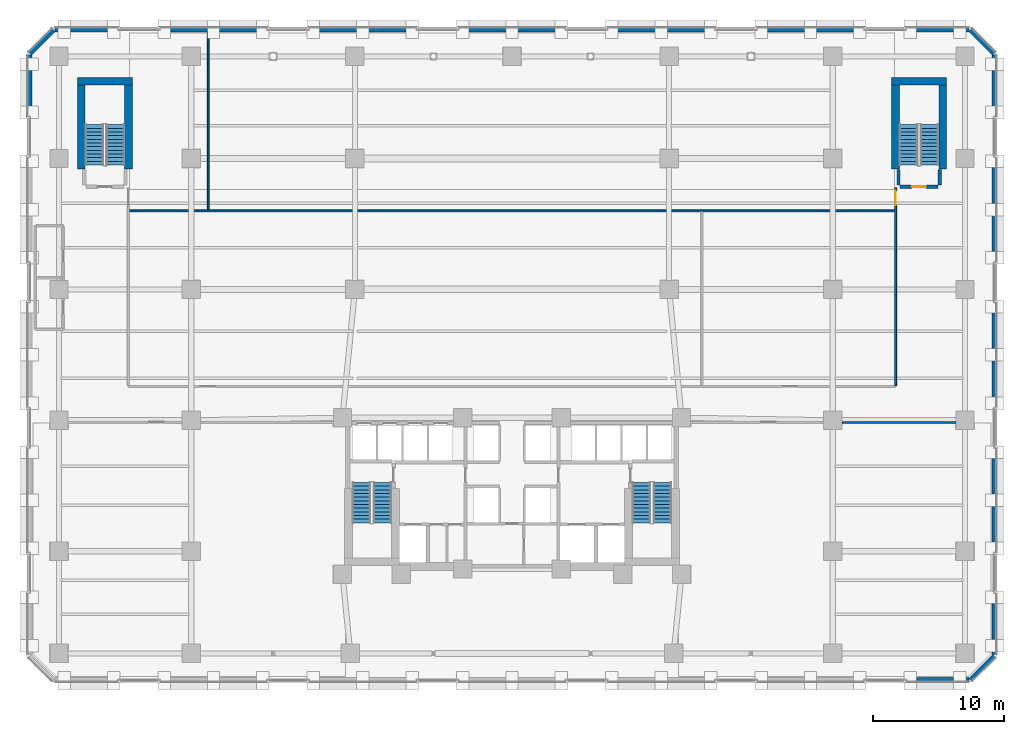
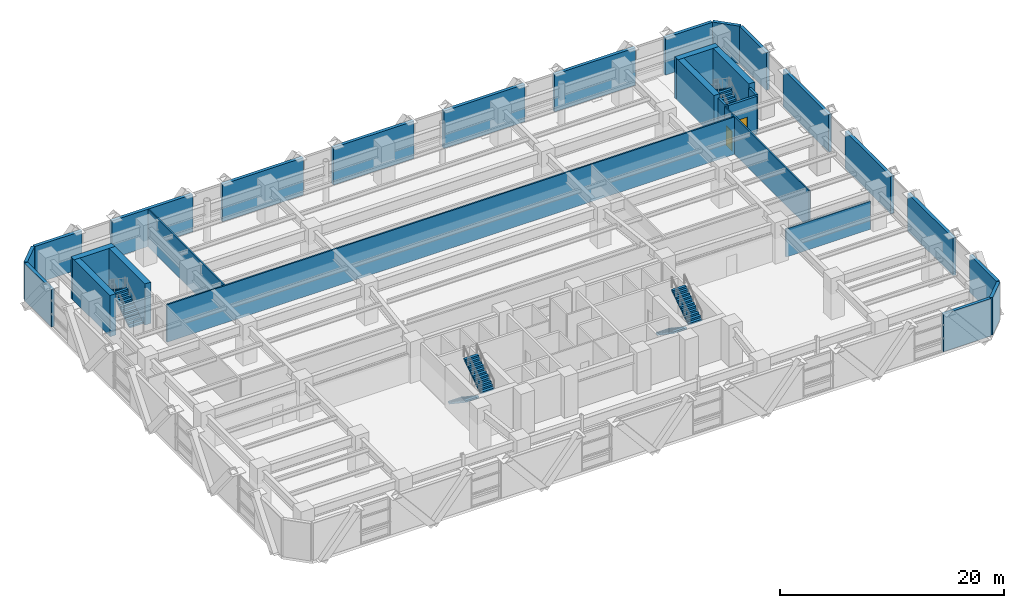
# One storey, part 16 of 26: 30 walls, 8 stair flights, 2 doors, 2 openings, 4 elements without a shape of their own.
"""IFC4 building model written with IfcOpenShell, lengths in metres."""

from ifc_helpers import new_model, si_unit, direction, frame, frame_2d, origin, place, context, subcontext, project, spatial, polyline, rectangle, outline, extrude, material, layer, layer_set, type_object, element, fill, aggregate, save


model = new_model("IFC4")

# Units and contexts
model_context = context("Model", 3, precision=1e-05, world=origin(), true_north=direction((0.0, 1.0)))
body_context = subcontext(model_context, "Body", "Model", "MODEL_VIEW")
ifc_project = project(units=[si_unit("LENGTHUNIT", "METRE"), si_unit("AREAUNIT", "SQUARE_METRE"), si_unit("VOLUMEUNIT", "CUBIC_METRE"), si_unit("PLANEANGLEUNIT", "RADIAN"), si_unit("MASSUNIT", "GRAM", prefix="KILO")], contexts=[model_context])

# Site, building, storey
site_placement = place(None, origin())
site = spatial("IfcSite", under=ifc_project, at=site_placement, CompositionType="ELEMENT")
building_placement = place(site_placement, origin())
building = spatial("IfcBuilding", under=site, at=building_placement, Name="Quenlor Broadcast Tower", CompositionType="ELEMENT")
storey_placement = place(building_placement, frame((0.0, 0.0, 18.5)))
storey = spatial("IfcBuildingStorey", under=building, at=storey_placement, Name="L04", CompositionType="ELEMENT", Elevation=18.5)

# Wall, opening, door
ifc_material_1 = material(Name="Acoustic Double Stud Gypsum Partition", Category="other")
ifc_layer_1 = layer(ifc_material_1, 0.14990234375)
ifc_layer_set_1 = layer_set([ifc_layer_1], Name="Broadcast Studio Acoustic Partition 150")
wall_type_1 = type_object("IfcWallType", Name="Broadcast Studio Acoustic Partition 150", PredefinedType="PARTITIONING", material=ifc_layer_set_1)
wall_1_placement = place(storey_placement, frame((29.300048828125, -2.337890625, 0.0), z_axis=(0.0, 0.0, 1.0), x_axis=(0.0, 1.0, 0.0)))
wall_1 = element("IfcWall", 1, at=wall_1_placement, inside=storey, type_object=wall_type_1, Name="L04 Interior Wall PW-PD-LE", PredefinedType="PARTITIONING", context=body_context, shape_type="SweptSolid", body=[
    extrude(rectangle(XDim=15.087890625, YDim=0.14990234375, at=frame_2d((7.5439453125, 0.0))), origin(), (0.0, 0.0, 1.0), 4.080078125),
])
opening_1_placement = place(wall_1_placement, frame((13.758056640625, 0.0, 0.0)))
opening_1 = element("IfcOpeningElement", 2, at=opening_1_placement, cuts=wall_1, Name="Opening ID-2", PredefinedType="OPENING", context=body_context, shape_type="SweptSolid", body=[
    extrude(rectangle(XDim=1.10009765625, YDim=2.14990234375, at=frame_2d((0.550048828125, 1.074951171875))), frame((0.0, 0.0849609375, 0.0), z_axis=(0.0, -1.0, 0.0), x_axis=(1.0, 0.0, 0.0)), (0.0, 0.0, 1.0), 0.169921875),
])
ifc_material_2 = material(Name="Acoustic Laminated Timber Oak", Category="wood")
door_type_1 = type_object("IfcDoorType", Name="Wide Studio Acoustic Timber Door 1100x2150", OperationType="NOTDEFINED", PredefinedType="DOOR", material=ifc_material_2)
door_1_placement = place(opening_1_placement, origin())
door_1 = element("IfcDoor", 3, at=door_1_placement, inside=storey, type_object=door_type_1, Name="L04 Door DR-PD6", OperationType="SINGLE_SWING_RIGHT", OverallHeight=2.14990234375, OverallWidth=1.10009765625, PredefinedType="DOOR", context=body_context, shape_type="SweptSolid", body=[
    extrude(rectangle(XDim=1.10009765625, YDim=2.14990234375, at=frame_2d((0.550048828125, 1.074951171875))), frame((0.0, 0.02490234375, 0.0), z_axis=(0.0, -1.0, 0.0), x_axis=(1.0, 0.0, 0.0)), (0.0, 0.0, 1.0), 0.050048828125),
])
fill(opening_1, door_1)

# Walls
wall_2_placement = place(storey_placement, frame((-29.219970703125, 11.0, 0.0), z_axis=(0.0, 0.0, 1.0), x_axis=(1.0, 0.0, 0.0)))
element("IfcWall", 4, at=wall_2_placement, inside=storey, type_object=wall_type_1, Name="L04 Interior Wall PW-PD-HY", PredefinedType="PARTITIONING", context=body_context, shape_type="SweptSolid", body=[
    extrude(rectangle(XDim=58.43994140625, YDim=0.14990234375, at=frame_2d((29.219970703125, 0.0))), origin(), (0.0, 0.0, 1.0), 4.080078125),
])
wall_3_placement = place(storey_placement, frame((-23.199951171875, 11.080078125, 0.0), z_axis=(0.0, 0.0, 1.0), x_axis=(0.0, 1.0, 0.0)))
element("IfcWall", 5, at=wall_3_placement, inside=storey, type_object=wall_type_1, Name="L04 Interior Wall PW-PD-VX2", PredefinedType="PARTITIONING", context=body_context, shape_type="SweptSolid", body=[
    extrude(rectangle(XDim=13.577880859375, YDim=0.14990234375, at=frame_2d((6.7890625, 0.0))), origin(), (0.0, 0.0, 1.0), 4.080078125),
])
ifc_material_3 = material(Name="Concrete C65/80", Category="concrete")
ifc_layer_2 = layer(ifc_material_3, 0.60009765625)
ifc_layer_set_2 = layer_set([ifc_layer_2], Name="Core Concrete C65/80 Shear Wall 600")
wall_type_2 = type_object("IfcWallType", Name="Core Concrete C65/80 Shear Wall 600", PredefinedType="SHEAR", material=ifc_layer_set_2)
wall_4_placement = place(storey_placement, frame((-33.199951171875, 20.89990234375, 0.0), z_axis=(0.0, 0.0, 1.0), x_axis=(1.0, 0.0, 0.0)))
element("IfcWall", 6, at=wall_4_placement, inside=storey, type_object=wall_type_2, Name="L04 Core Shear Wall ST3-N", PredefinedType="SHEAR", context=body_context, shape_type="SweptSolid", body=[
    extrude(rectangle(XDim=4.199951171875, YDim=0.60009765625, at=frame_2d((2.10009765625, 0.0))), origin(), (0.0, 0.0, 1.0), 4.5),
])
for number, where, z_axis, x_axis, name in (
    (7, (-32.89990234375, 14.199951171875, 0.0), (0.0, 0.0, 1.0), (0.0, 1.0, 0.0), "L04 Core Shear Wall ST3-W"),
    (8, (-29.300048828125, 14.199951171875, 0.0), (0.0, 0.0, 1.0), (0.0, 1.0, 0.0), "L04 Core Shear Wall ST3-E"),
):
    element("IfcWall", number, at=place(storey_placement, frame(where, z_axis=z_axis, x_axis=x_axis)), inside=storey, type_object=wall_type_2, Name=name, PredefinedType="SHEAR", context=body_context, shape_type="SweptSolid", body=[
        extrude(rectangle(XDim=6.699951171875, YDim=0.60009765625, at=frame_2d((3.35009765625, 0.0))), origin(), (0.0, 0.0, 1.0), 4.5),
    ])
wall_5_placement = place(storey_placement, frame((29.0, 20.89990234375, 0.0), z_axis=(0.0, 0.0, 1.0), x_axis=(1.0, 0.0, 0.0)))
element("IfcWall", 9, at=wall_5_placement, inside=storey, type_object=wall_type_2, Name="L04 Core Shear Wall ST4-N", PredefinedType="SHEAR", context=body_context, shape_type="SweptSolid", body=[
    extrude(rectangle(XDim=4.199951171875, YDim=0.60009765625, at=frame_2d((2.10009765625, 0.0))), origin(), (0.0, 0.0, 1.0), 4.5),
])
for number, where, z_axis, x_axis, name in (
    (10, (29.300048828125, 14.199951171875, 0.0), (0.0, 0.0, 1.0), (0.0, 1.0, 0.0), "L04 Core Shear Wall ST4-W"),
    (11, (32.89990234375, 14.199951171875, 0.0), (0.0, 0.0, 1.0), (0.0, 1.0, 0.0), "L04 Core Shear Wall ST4-E"),
):
    element("IfcWall", number, at=place(storey_placement, frame(where, z_axis=z_axis, x_axis=x_axis)), inside=storey, type_object=wall_type_2, Name=name, PredefinedType="SHEAR", context=body_context, shape_type="SweptSolid", body=[
        extrude(rectangle(XDim=6.699951171875, YDim=0.60009765625, at=frame_2d((3.35009765625, 0.0))), origin(), (0.0, 0.0, 1.0), 4.5),
    ])

# Wall, opening, door
ifc_material_4 = material(Name="Concrete C40/50", Category="concrete")
ifc_layer_3 = layer(ifc_material_4, 0.25)
ifc_layer_set_3 = layer_set([ifc_layer_3], Name="Fire Rated Concrete C40/50 Core Wall 250")
wall_type_3 = type_object("IfcWallType", Name="Fire Rated Concrete C40/50 Core Wall 250", PredefinedType="PARTITIONING", material=ifc_layer_set_3)
wall_6_placement = place(storey_placement, frame((29.64990234375, 12.840087890625, 0.0), z_axis=(0.0, 0.0, 1.0), x_axis=(1.0, 0.0, 0.0)))
wall_6 = element("IfcWall", 12, at=wall_6_placement, inside=storey, type_object=wall_type_3, Name="L04 Interior Wall CW-ST4-S", PredefinedType="PARTITIONING", context=body_context, shape_type="SweptSolid", body=[
    extrude(rectangle(XDim=2.900146484375, YDim=0.25, at=frame_2d((1.4501953125, 0.0))), origin(), (0.0, 0.0, 1.0), 4.080078125),
])
opening_2_placement = place(wall_6_placement, frame((0.919921875, 0.0, 0.0)))
opening_2 = element("IfcOpeningElement", 13, at=opening_2_placement, cuts=wall_6, Name="Opening FD-1", PredefinedType="OPENING", context=body_context, shape_type="SweptSolid", body=[
    extrude(rectangle(XDim=1.050048828125, YDim=2.14990234375, at=frame_2d((0.52490234375, 1.074951171875))), frame((0.0, 0.135009765625, 0.0), z_axis=(0.0, -1.0, 0.0), x_axis=(1.0, 0.0, 0.0)), (0.0, 0.0, 1.0), 0.27001953125),
])
ifc_material_5 = material(Name="Fire Rated Steel Door Leaf", Category="steel")
door_type_2 = type_object("IfcDoorType", Name="Fire Isolated Stair Door 1050x2150", OperationType="NOTDEFINED", PredefinedType="DOOR", material=ifc_material_5)
door_2_placement = place(opening_2_placement, origin())
door_2 = element("IfcDoor", 14, at=door_2_placement, inside=storey, type_object=door_type_2, Name="L04 Door DR-ST4", OperationType="SINGLE_SWING_RIGHT", OverallHeight=2.14990234375, OverallWidth=1.050048828125, PredefinedType="DOOR", context=body_context, shape_type="SweptSolid", body=[
    extrude(rectangle(XDim=1.050048828125, YDim=2.14990234375, at=frame_2d((0.52490234375, 1.074951171875))), frame((0.0, 0.02490234375, 0.0), z_axis=(0.0, -1.0, 0.0), x_axis=(1.0, 0.0, 0.0)), (0.0, 0.0, 1.0), 0.050048828125),
])
fill(opening_2, door_2)

# Walls
for number, where, z_axis, x_axis, name in (
    (15, (29.52001953125, 12.9599609375, 0.0), (0.0, 0.0, 1.0), (0.0, 1.0, 0.0), "L04 Interior Wall CW-ST4-W1"),
    (16, (32.679931640625, 12.9599609375, 0.0), (0.0, 0.0, 1.0), (0.0, 1.0, 0.0), "L04 Interior Wall CW-ST4-E1"),
):
    element("IfcWall", number, at=place(storey_placement, frame(where, z_axis=z_axis, x_axis=x_axis)), inside=storey, type_object=wall_type_3, Name=name, PredefinedType="PARTITIONING", context=body_context, shape_type="SweptSolid", body=[
        extrude(rectangle(XDim=1.219970703125, YDim=0.25, at=frame_2d((0.60986328125, 0.0))), origin(), (0.0, 0.0, 1.0), 4.080078125),
    ])
ifc_material_6 = material(Name="Gypsum Fireboard Partition", Category="other")
ifc_layer_4 = layer(ifc_material_6, 0.159912109375)
ifc_layer_set_4 = layer_set([ifc_layer_4], Name="Fire Rated Shaft and Corridor Partition 160")
wall_type_4 = type_object("IfcWallType", Name="Fire Rated Shaft and Corridor Partition 160", PredefinedType="PARTITIONING", material=ifc_layer_set_4)
wall_7_placement = place(storey_placement, frame((25.201904296875, -5.14990234375, 0.0), z_axis=(0.0, 0.0, 1.0), x_axis=(1.0, 0.0, 0.0)))
element("IfcWall", 17, at=wall_7_placement, inside=storey, type_object=wall_type_4, Name="L04 Interior Wall PW-PD-CSES2", PredefinedType="PARTITIONING", context=body_context, shape_type="SweptSolid", body=[
    extrude(rectangle(XDim=8.696044921875, YDim=0.159912109375, at=frame_2d((4.34814453125, 0.0))), origin(), (0.0, 0.0, 1.0), 3.055908203125),
])
ifc_material_7 = material(Name="Precast concrete C40/50", Category="concrete")
ifc_layer_5 = layer(ifc_material_7, 0.320068359375)
ifc_layer_set_5 = layer_set([ifc_layer_5], Name="Station Podium Precast Concrete C40/50 Facade Wall 320")
wall_type_5 = type_object("IfcWallType", Name="Station Podium Precast Concrete C40/50 Facade Wall 320", PredefinedType="STANDARD", material=ifc_layer_set_5)
for number, where, z_axis, x_axis, name in (
    (18, (34.89990234375, -24.820068359375, 0.0), (0.0, 0.0, 1.0), (-1.0, 0.0, 0.0), "L04 Exterior Wall L04-S-FULL-SP1"),
    (19, (-34.89990234375, 24.820068359375, 0.0), (0.0, 0.0, 1.0), (1.0, 0.0, 0.0), "L04 Exterior Wall L04-N-FULL-SP1"),
):
    element("IfcWall", number, at=place(storey_placement, frame(where, z_axis=z_axis, x_axis=x_axis)), inside=storey, type_object=wall_type_5, Name=name, PredefinedType="STANDARD", context=body_context, shape_type="SweptSolid", body=[
        extrude(rectangle(XDim=4.864990234375, YDim=0.320068359375, at=frame_2d((2.4326171875, 0.0))), origin(), (0.0, 0.0, 1.0), 4.080078125),
    ])
wall_8_placement = place(storey_placement, frame((-26.965087890625, 24.820068359375, 0.0), z_axis=(0.0, 0.0, 1.0), x_axis=(1.0, 0.0, 0.0)))
element("IfcWall", 20, at=wall_8_placement, inside=storey, type_object=wall_type_5, Name="L04 Exterior Wall L04-N-FULL-SP2", PredefinedType="STANDARD", context=body_context, shape_type="SweptSolid", body=[
    extrude(rectangle(XDim=8.330078125, YDim=0.320068359375, at=frame_2d((4.1650390625, 0.0))), origin(), (0.0, 0.0, 1.0), 4.080078125),
])
wall_9_placement = place(storey_placement, frame((-15.565185546875, 24.820068359375, 0.0), z_axis=(0.0, 0.0, 1.0), x_axis=(1.0, 0.0, 0.0)))
element("IfcWall", 21, at=wall_9_placement, inside=storey, type_object=wall_type_5, Name="L04 Exterior Wall L04-N-FULL-SP3", PredefinedType="STANDARD", context=body_context, shape_type="SweptSolid", body=[
    extrude(rectangle(XDim=8.330322265625, YDim=0.320068359375, at=frame_2d((4.1650390625, 0.0))), origin(), (0.0, 0.0, 1.0), 4.080078125),
])
wall_10_placement = place(storey_placement, frame((-4.1650390625, 24.820068359375, 0.0), z_axis=(0.0, 0.0, 1.0), x_axis=(1.0, 0.0, 0.0)))
element("IfcWall", 22, at=wall_10_placement, inside=storey, type_object=wall_type_5, Name="L04 Exterior Wall L04-N-FULL-SP4", PredefinedType="STANDARD", context=body_context, shape_type="SweptSolid", body=[
    extrude(rectangle(XDim=8.330078125, YDim=0.320068359375, at=frame_2d((4.1650390625, 0.0))), origin(), (0.0, 0.0, 1.0), 4.080078125),
])
wall_11_placement = place(storey_placement, frame((7.23486328125, 24.820068359375, 0.0), z_axis=(0.0, 0.0, 1.0), x_axis=(1.0, 0.0, 0.0)))
element("IfcWall", 23, at=wall_11_placement, inside=storey, type_object=wall_type_5, Name="L04 Exterior Wall L04-N-FULL-SP5", PredefinedType="STANDARD", context=body_context, shape_type="SweptSolid", body=[
    extrude(rectangle(XDim=8.330322265625, YDim=0.320068359375, at=frame_2d((4.1650390625, 0.0))), origin(), (0.0, 0.0, 1.0), 4.080078125),
])
wall_12_placement = place(storey_placement, frame((18.635009765625, 24.820068359375, 0.0), z_axis=(0.0, 0.0, 1.0), x_axis=(1.0, 0.0, 0.0)))
element("IfcWall", 24, at=wall_12_placement, inside=storey, type_object=wall_type_5, Name="L04 Exterior Wall L04-N-FULL-SP6", PredefinedType="STANDARD", context=body_context, shape_type="SweptSolid", body=[
    extrude(rectangle(XDim=8.330078125, YDim=0.320068359375, at=frame_2d((4.1650390625, 0.0))), origin(), (0.0, 0.0, 1.0), 4.080078125),
])
wall_13_placement = place(storey_placement, frame((30.034912109375, 24.820068359375, 0.0), z_axis=(0.0, 0.0, 1.0), x_axis=(1.0, 0.0, 0.0)))
element("IfcWall", 25, at=wall_13_placement, inside=storey, type_object=wall_type_5, Name="L04 Exterior Wall L04-N-FULL-SP7", PredefinedType="STANDARD", context=body_context, shape_type="SweptSolid", body=[
    extrude(rectangle(XDim=4.864990234375, YDim=0.320068359375, at=frame_2d((2.4326171875, 0.0))), origin(), (0.0, 0.0, 1.0), 4.080078125),
])
for number, where, z_axis, x_axis, name in (
    (26, (-36.820068359375, 18.134521484375, 0.0), (0.0, 0.0, 1.0), (0.0, 1.0, 0.0), "L04 Exterior Wall L04-W-FULL-SP5"),
    (27, (36.820068359375, 22.89990234375, 0.0), (0.0, 0.0, 1.0), (0.0, -1.0, 0.0), "L04 Exterior Wall L04-E-FULL-SP1"),
):
    element("IfcWall", number, at=place(storey_placement, frame(where, z_axis=z_axis, x_axis=x_axis)), inside=storey, type_object=wall_type_5, Name=name, PredefinedType="STANDARD", context=body_context, shape_type="SweptSolid", body=[
        extrude(rectangle(XDim=4.765380859375, YDim=0.320068359375, at=frame_2d((2.3828125, 0.0))), origin(), (0.0, 0.0, 1.0), 4.080078125),
    ])
wall_14_placement = place(storey_placement, frame((36.820068359375, 15.165283203125, 0.0), z_axis=(0.0, 0.0, 1.0), x_axis=(0.0, -1.0, 0.0)))
element("IfcWall", 28, at=wall_14_placement, inside=storey, type_object=wall_type_5, Name="L04 Exterior Wall L04-E-FULL-SP2", PredefinedType="STANDARD", context=body_context, shape_type="SweptSolid", body=[
    extrude(rectangle(XDim=8.130615234375, YDim=0.320068359375, at=frame_2d((4.0654296875, 0.0))), origin(), (0.0, 0.0, 1.0), 4.080078125),
])
wall_15_placement = place(storey_placement, frame((36.820068359375, 4.0654296875, 0.0), z_axis=(0.0, 0.0, 1.0), x_axis=(0.0, -1.0, 0.0)))
element("IfcWall", 29, at=wall_15_placement, inside=storey, type_object=wall_type_5, Name="L04 Exterior Wall L04-E-FULL-SP3", PredefinedType="STANDARD", context=body_context, shape_type="SweptSolid", body=[
    extrude(rectangle(XDim=8.130859375, YDim=0.320068359375, at=frame_2d((4.0654296875, 0.0))), origin(), (0.0, 0.0, 1.0), 4.080078125),
])
wall_16_placement = place(storey_placement, frame((36.820068359375, -7.03466796875, 0.0), z_axis=(0.0, 0.0, 1.0), x_axis=(0.0, -1.0, 0.0)))
element("IfcWall", 30, at=wall_16_placement, inside=storey, type_object=wall_type_5, Name="L04 Exterior Wall L04-E-FULL-SP4", PredefinedType="STANDARD", context=body_context, shape_type="SweptSolid", body=[
    extrude(rectangle(XDim=8.130615234375, YDim=0.320068359375, at=frame_2d((4.0654296875, 0.0))), origin(), (0.0, 0.0, 1.0), 4.080078125),
])
wall_17_placement = place(storey_placement, frame((36.820068359375, -18.134521484375, 0.0), z_axis=(0.0, 0.0, 1.0), x_axis=(0.0, -1.0, 0.0)))
element("IfcWall", 31, at=wall_17_placement, inside=storey, type_object=wall_type_5, Name="L04 Exterior Wall L04-E-FULL-SP5", PredefinedType="STANDARD", context=body_context, shape_type="SweptSolid", body=[
    extrude(rectangle(XDim=4.765380859375, YDim=0.320068359375, at=frame_2d((2.3828125, 0.0))), origin(), (0.0, 0.0, 1.0), 4.080078125),
])
for number, where, z_axis, x_axis, name in (
    (32, (36.820068359375, -23.0, 0.0), (0.0, 0.0, 1.0), (-0.707106781187, -0.707106781187, 0.0), "L04 Exterior Wall L04-EW-CSE"),
    (33, (-36.820068359375, 23.0, 0.0), (0.0, 0.0, 1.0), (0.707106781187, 0.707106781187, 0.0), "L04 Exterior Wall L04-EW-CNW"),
    (34, (35.0, 24.820068359375, 0.0), (0.0, 0.0, 1.0), (0.707106781187, -0.707106781187, 0.0), "L04 Exterior Wall L04-EW-CNE"),
):
    element("IfcWall", number, at=place(storey_placement, frame(where, z_axis=z_axis, x_axis=x_axis)), inside=storey, type_object=wall_type_5, Name=name, PredefinedType="STANDARD", context=body_context, shape_type="SweptSolid", body=[
        extrude(rectangle(XDim=2.573974609375, YDim=0.320068359375, at=frame_2d((1.287109375, 0.0))), origin(), (0.0, 0.0, 1.0), 4.080078125),
    ])

# Stair, stair flights
ifc_material_8 = material(Name="Precast concrete C40/50", Category="concrete")
stair_type = type_object("IfcStairType", Name="Precast Concrete C40/50 Dogleg Stair H450", PredefinedType="HALF_TURN_STAIR", material=ifc_material_8)
stair_1_placement = place(storey_placement, origin())
stair_1 = element("IfcStair", 35, at=stair_1_placement, inside=storey, type_object=stair_type, Name="L04 West Core Fire-Isolated Exit Stair ST-1", PredefinedType="HALF_TURN_STAIR")
ifc_material_9 = material(Name="Precast concrete C40/50", Category="concrete")
ifc_layer_6 = layer(ifc_material_9, 0.175048828125)
ifc_layer_set_6 = layer_set([ifc_layer_6], Name="Precast Concrete C40/50 Stair Flight H450")
stair_flight_type = type_object("IfcStairFlightType", Name="Precast Concrete C40/50 Stair Flight H450", PredefinedType="STRAIGHT", material=ifc_layer_set_6)
stair_flight_1_placement = place(storey_placement, frame((-11.5, -9.75, 0.0), z_axis=(0.0, 0.0, 1.0), x_axis=(0.0, -1.0, 0.0)))
stair_flight_1 = element("IfcStairFlight", 36, at=stair_flight_1_placement, type_object=stair_flight_type, Name="ST-1 flight 1", NumberOfRisers=12, NumberOfTreads=11, PredefinedType="STRAIGHT", RiserHeight=0.1875, TreadLength=0.28, context=body_context, shape_type="SweptSolid", body=[
    extrude(outline(polyline([(0.0, 0.0), (0.0, 0.1875), (0.280029296875, 0.1875), (0.280029296875, 0.375), (0.56005859375, 0.375), (0.56005859375, 0.5625), (0.840087890625, 0.5625), (0.840087890625, 0.75), (1.1201171875, 0.75), (1.1201171875, 0.9375), (1.39990234375, 0.9375), (1.39990234375, 1.125), (1.679931640625, 1.125), (1.679931640625, 1.3125), (1.9599609375, 1.3125), (1.9599609375, 1.5), (2.239990234375, 1.5), (2.239990234375, 1.6875), (2.52001953125, 1.6875), (2.52001953125, 1.875), (2.800048828125, 1.875), (2.800048828125, 2.0625), (3.080078125, 2.0625), (3.080078125, 2.25), (3.080078125, 1.882080078125), (0.26953125, 0.0), (0.0, 0.0)])), frame((0.0, 0.699951171875, 0.0), z_axis=(0.0, -1.0, 0.0), x_axis=(1.0, 0.0, 0.0)), (0.0, 0.0, 1.0), 1.39990234375),
])
stair_flight_2_placement = place(storey_placement, frame((-9.89990234375, -12.830078125, 2.25), z_axis=(0.0, 0.0, 1.0), x_axis=(0.0, 1.0, 0.0)))
stair_flight_2 = element("IfcStairFlight", 37, at=stair_flight_2_placement, type_object=stair_flight_type, Name="ST-1 flight 2", NumberOfRisers=12, NumberOfTreads=11, PredefinedType="STRAIGHT", RiserHeight=0.1875, TreadLength=0.28, context=body_context, shape_type="SweptSolid", body=[
    extrude(outline(polyline([(0.0, 0.0), (0.0, 0.1875), (0.280029296875, 0.1875), (0.280029296875, 0.375), (0.56005859375, 0.375), (0.56005859375, 0.5625), (0.840087890625, 0.5625), (0.840087890625, 0.75), (1.1201171875, 0.75), (1.1201171875, 0.9375), (1.39990234375, 0.9375), (1.39990234375, 1.125), (1.679931640625, 1.125), (1.679931640625, 1.3125), (1.9599609375, 1.3125), (1.9599609375, 1.5), (2.239990234375, 1.5), (2.239990234375, 1.6875), (2.52001953125, 1.6875), (2.52001953125, 1.875), (2.800048828125, 1.875), (2.800048828125, 2.0625), (3.080078125, 2.0625), (3.080078125, 2.25), (3.080078125, 1.882080078125), (0.26953125, 0.0), (0.0, 0.0)])), frame((0.0, 0.699951171875, 0.0), z_axis=(0.0, -1.0, 0.0), x_axis=(1.0, 0.0, 0.0)), (0.0, 0.0, 1.0), 1.39990234375),
])
aggregate(stair_1, [stair_flight_1, stair_flight_2])

stair_2_placement = place(storey_placement, origin())
stair_2 = element("IfcStair", 38, at=stair_2_placement, inside=storey, type_object=stair_type, Name="L04 East Core Fire-Isolated Exit Stair ST-2", PredefinedType="HALF_TURN_STAIR")
stair_flight_3_placement = place(storey_placement, frame((9.89990234375, -9.75, 0.0), z_axis=(0.0, 0.0, 1.0), x_axis=(0.0, -1.0, 0.0)))
stair_flight_3 = element("IfcStairFlight", 39, at=stair_flight_3_placement, type_object=stair_flight_type, Name="ST-2 flight 1", NumberOfRisers=12, NumberOfTreads=11, PredefinedType="STRAIGHT", RiserHeight=0.1875, TreadLength=0.28, context=body_context, shape_type="SweptSolid", body=[
    extrude(outline(polyline([(0.0, 0.0), (0.0, 0.1875), (0.280029296875, 0.1875), (0.280029296875, 0.375), (0.56005859375, 0.375), (0.56005859375, 0.5625), (0.840087890625, 0.5625), (0.840087890625, 0.75), (1.1201171875, 0.75), (1.1201171875, 0.9375), (1.39990234375, 0.9375), (1.39990234375, 1.125), (1.679931640625, 1.125), (1.679931640625, 1.3125), (1.9599609375, 1.3125), (1.9599609375, 1.5), (2.239990234375, 1.5), (2.239990234375, 1.6875), (2.52001953125, 1.6875), (2.52001953125, 1.875), (2.800048828125, 1.875), (2.800048828125, 2.0625), (3.080078125, 2.0625), (3.080078125, 2.25), (3.080078125, 1.882080078125), (0.26953125, 0.0), (0.0, 0.0)])), frame((0.0, 0.699951171875, 0.0), z_axis=(0.0, -1.0, 0.0), x_axis=(1.0, 0.0, 0.0)), (0.0, 0.0, 1.0), 1.39990234375),
])
stair_flight_4_placement = place(storey_placement, frame((11.5, -12.830078125, 2.25), z_axis=(0.0, 0.0, 1.0), x_axis=(0.0, 1.0, 0.0)))
stair_flight_4 = element("IfcStairFlight", 40, at=stair_flight_4_placement, type_object=stair_flight_type, Name="ST-2 flight 2", NumberOfRisers=12, NumberOfTreads=11, PredefinedType="STRAIGHT", RiserHeight=0.1875, TreadLength=0.28, context=body_context, shape_type="SweptSolid", body=[
    extrude(outline(polyline([(0.0, 0.0), (0.0, 0.1875), (0.280029296875, 0.1875), (0.280029296875, 0.375), (0.56005859375, 0.375), (0.56005859375, 0.5625), (0.840087890625, 0.5625), (0.840087890625, 0.75), (1.1201171875, 0.75), (1.1201171875, 0.9375), (1.39990234375, 0.9375), (1.39990234375, 1.125), (1.679931640625, 1.125), (1.679931640625, 1.3125), (1.9599609375, 1.3125), (1.9599609375, 1.5), (2.239990234375, 1.5), (2.239990234375, 1.6875), (2.52001953125, 1.6875), (2.52001953125, 1.875), (2.800048828125, 1.875), (2.800048828125, 2.0625), (3.080078125, 2.0625), (3.080078125, 2.25), (3.080078125, 1.882080078125), (0.26953125, 0.0), (0.0, 0.0)])), frame((0.0, 0.699951171875, 0.0), z_axis=(0.0, -1.0, 0.0), x_axis=(1.0, 0.0, 0.0)), (0.0, 0.0, 1.0), 1.39990234375),
])
aggregate(stair_2, [stair_flight_3, stair_flight_4])

stair_3_placement = place(storey_placement, origin())
stair_3 = element("IfcStair", 41, at=stair_3_placement, inside=storey, type_object=stair_type, Name="L04 Station Podium North-West Exit Stair ST-3", PredefinedType="HALF_TURN_STAIR")
stair_flight_5_placement = place(storey_placement, frame((-30.300048828125, 14.5, 0.0), z_axis=(0.0, 0.0, 1.0), x_axis=(0.0, 1.0, 0.0)))
stair_flight_5 = element("IfcStairFlight", 42, at=stair_flight_5_placement, type_object=stair_flight_type, Name="ST-3 flight 1", NumberOfRisers=12, NumberOfTreads=11, PredefinedType="STRAIGHT", RiserHeight=0.1875, TreadLength=0.28, context=body_context, shape_type="SweptSolid", body=[
    extrude(outline(polyline([(0.0, 0.0), (0.0, 0.1875), (0.280029296875, 0.1875), (0.280029296875, 0.375), (0.56005859375, 0.375), (0.56005859375, 0.5625), (0.840087890625, 0.5625), (0.840087890625, 0.75), (1.1201171875, 0.75), (1.1201171875, 0.9375), (1.39990234375, 0.9375), (1.39990234375, 1.125), (1.679931640625, 1.125), (1.679931640625, 1.3125), (1.9599609375, 1.3125), (1.9599609375, 1.5), (2.239990234375, 1.5), (2.239990234375, 1.6875), (2.52001953125, 1.6875), (2.52001953125, 1.875), (2.800048828125, 1.875), (2.800048828125, 2.0625), (3.080078125, 2.0625), (3.080078125, 2.25), (3.080078125, 1.882080078125), (0.26953125, 0.0), (0.0, 0.0)])), frame((0.0, 0.699951171875, 0.0), z_axis=(0.0, -1.0, 0.0), x_axis=(1.0, 0.0, 0.0)), (0.0, 0.0, 1.0), 1.39990234375),
])
stair_flight_6_placement = place(storey_placement, frame((-31.89990234375, 17.580078125, 2.25), z_axis=(0.0, 0.0, 1.0), x_axis=(0.0, -1.0, 0.0)))
stair_flight_6 = element("IfcStairFlight", 43, at=stair_flight_6_placement, type_object=stair_flight_type, Name="ST-3 flight 2", NumberOfRisers=12, NumberOfTreads=11, PredefinedType="STRAIGHT", RiserHeight=0.1875, TreadLength=0.28, context=body_context, shape_type="SweptSolid", body=[
    extrude(outline(polyline([(0.0, 0.0), (0.0, 0.1875), (0.280029296875, 0.1875), (0.280029296875, 0.375), (0.56005859375, 0.375), (0.56005859375, 0.5625), (0.840087890625, 0.5625), (0.840087890625, 0.75), (1.1201171875, 0.75), (1.1201171875, 0.9375), (1.39990234375, 0.9375), (1.39990234375, 1.125), (1.679931640625, 1.125), (1.679931640625, 1.3125), (1.9599609375, 1.3125), (1.9599609375, 1.5), (2.239990234375, 1.5), (2.239990234375, 1.6875), (2.52001953125, 1.6875), (2.52001953125, 1.875), (2.800048828125, 1.875), (2.800048828125, 2.0625), (3.080078125, 2.0625), (3.080078125, 2.25), (3.080078125, 1.882080078125), (0.26953125, 0.0), (0.0, 0.0)])), frame((0.0, 0.699951171875, 0.0), z_axis=(0.0, -1.0, 0.0), x_axis=(1.0, 0.0, 0.0)), (0.0, 0.0, 1.0), 1.39990234375),
])
aggregate(stair_3, [stair_flight_5, stair_flight_6])

stair_4_placement = place(storey_placement, origin())
stair_4 = element("IfcStair", 44, at=stair_4_placement, inside=storey, type_object=stair_type, Name="L04 Station Podium North-East Exit Stair ST-4", PredefinedType="HALF_TURN_STAIR")
stair_flight_7_placement = place(storey_placement, frame((31.89990234375, 14.5, 0.0), z_axis=(0.0, 0.0, 1.0), x_axis=(0.0, 1.0, 0.0)))
stair_flight_7 = element("IfcStairFlight", 45, at=stair_flight_7_placement, type_object=stair_flight_type, Name="ST-4 flight 1", NumberOfRisers=12, NumberOfTreads=11, PredefinedType="STRAIGHT", RiserHeight=0.1875, TreadLength=0.28, context=body_context, shape_type="SweptSolid", body=[
    extrude(outline(polyline([(0.0, 0.0), (0.0, 0.1875), (0.280029296875, 0.1875), (0.280029296875, 0.375), (0.56005859375, 0.375), (0.56005859375, 0.5625), (0.840087890625, 0.5625), (0.840087890625, 0.75), (1.1201171875, 0.75), (1.1201171875, 0.9375), (1.39990234375, 0.9375), (1.39990234375, 1.125), (1.679931640625, 1.125), (1.679931640625, 1.3125), (1.9599609375, 1.3125), (1.9599609375, 1.5), (2.239990234375, 1.5), (2.239990234375, 1.6875), (2.52001953125, 1.6875), (2.52001953125, 1.875), (2.800048828125, 1.875), (2.800048828125, 2.0625), (3.080078125, 2.0625), (3.080078125, 2.25), (3.080078125, 1.882080078125), (0.26953125, 0.0), (0.0, 0.0)])), frame((0.0, 0.699951171875, 0.0), z_axis=(0.0, -1.0, 0.0), x_axis=(1.0, 0.0, 0.0)), (0.0, 0.0, 1.0), 1.39990234375),
])
stair_flight_8_placement = place(storey_placement, frame((30.300048828125, 17.580078125, 2.25), z_axis=(0.0, 0.0, 1.0), x_axis=(0.0, -1.0, 0.0)))
stair_flight_8 = element("IfcStairFlight", 46, at=stair_flight_8_placement, type_object=stair_flight_type, Name="ST-4 flight 2", NumberOfRisers=12, NumberOfTreads=11, PredefinedType="STRAIGHT", RiserHeight=0.1875, TreadLength=0.28, context=body_context, shape_type="SweptSolid", body=[
    extrude(outline(polyline([(0.0, 0.0), (0.0, 0.1875), (0.280029296875, 0.1875), (0.280029296875, 0.375), (0.56005859375, 0.375), (0.56005859375, 0.5625), (0.840087890625, 0.5625), (0.840087890625, 0.75), (1.1201171875, 0.75), (1.1201171875, 0.9375), (1.39990234375, 0.9375), (1.39990234375, 1.125), (1.679931640625, 1.125), (1.679931640625, 1.3125), (1.9599609375, 1.3125), (1.9599609375, 1.5), (2.239990234375, 1.5), (2.239990234375, 1.6875), (2.52001953125, 1.6875), (2.52001953125, 1.875), (2.800048828125, 1.875), (2.800048828125, 2.0625), (3.080078125, 2.0625), (3.080078125, 2.25), (3.080078125, 1.882080078125), (0.26953125, 0.0), (0.0, 0.0)])), frame((0.0, 0.699951171875, 0.0), z_axis=(0.0, -1.0, 0.0), x_axis=(1.0, 0.0, 0.0)), (0.0, 0.0, 1.0), 1.39990234375),
])
aggregate(stair_4, [stair_flight_7, stair_flight_8])

save(model, "model.ifc")
